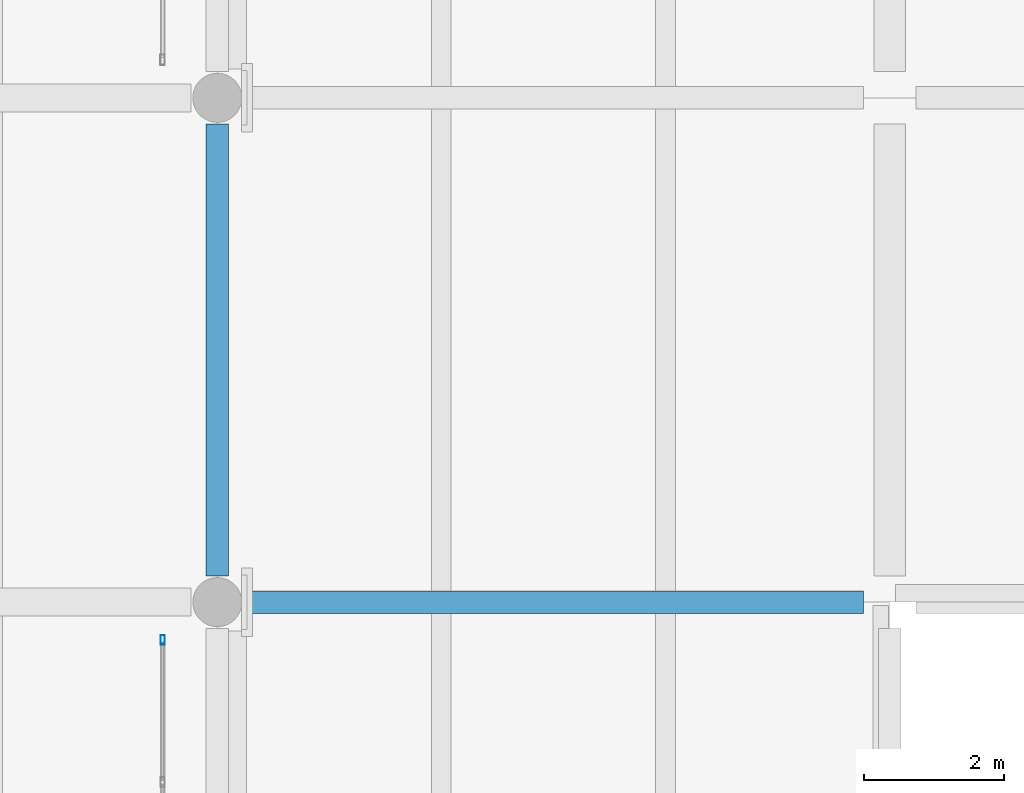
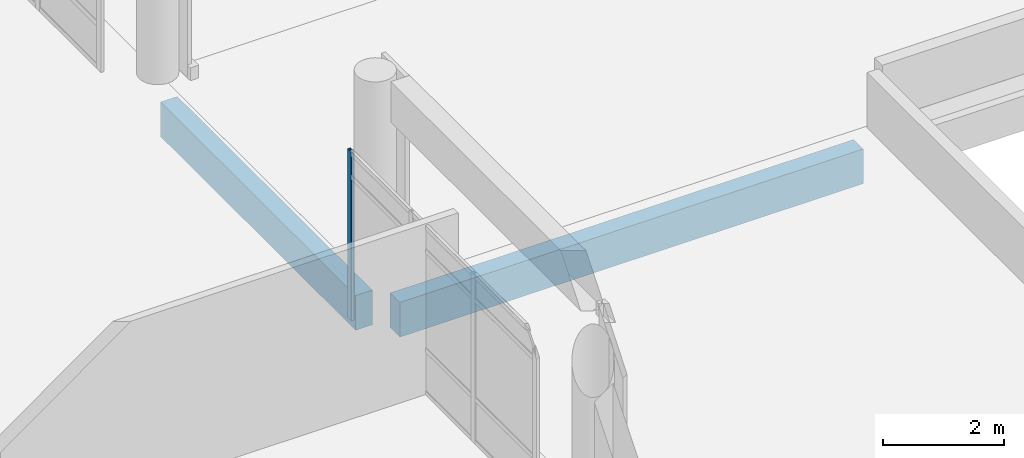
# One storey, part 64 of 196: 2 beams, 1 member, 1 element without a shape of its own.
"""IFC4 building model written with IfcOpenShell, lengths in metres."""

import ifcopenshell
import ifcopenshell.guid

model = None  # the IFC model being written
_history = None  # IfcOwnerHistory: only IFC2X3 demands one
_inside = {}  # id of a spatial element -> (the spatial element, [elements in it])
_under = {}  # id of a project, library or spatial element -> (it, [spatial elements below it])
_declared = {}  # id of a project -> (the project, [libraries it declares])
_typed = {}  # id of a type object -> (the type object, [elements of that type])
_made_of = {}  # id of a material, layer set ... -> (it, [elements and type objects made of it])


def new_model(schema):
    """Start an empty IFC model of exactly this schema.

    Asked for "IFC4X3", IfcOpenShell would pick the latest addendum, in which some entities
    have other attributes; the version numbers below select the first issue.
    IFC2X3 requires an IfcOwnerHistory on every rooted entity: one is made here for all.
    """
    global model, _history
    if schema == "IFC4X3":
        model = ifcopenshell.file(schema_version=(4, 3, 0, 0))
    else:
        model = ifcopenshell.file(schema=schema)
    _inside.clear()
    _under.clear()
    _declared.clear()
    _typed.clear()
    _made_of.clear()
    _history = None
    if model.schema == "IFC2X3":
        org = make("IfcOrganization", Name="unknown")
        user = make(
            "IfcPersonAndOrganization",
            ThePerson=make("IfcPerson", FamilyName="unknown"),
            TheOrganization=org,
        )
        app = make(
            "IfcApplication",
            ApplicationDeveloper=org,
            Version="unknown",
            ApplicationFullName="unknown",
            ApplicationIdentifier="unknown",
        )
        _history = make(
            "IfcOwnerHistory",
            OwningUser=user,
            OwningApplication=app,
            ChangeAction="ADDED",
            CreationDate=0,
        )
    return model


def make(cls, **values):
    """One entity of the class cls with the attributes given. An attribute that is None is left unset."""
    return model.create_entity(
        cls, **{name: value for name, value in values.items() if value is not None}
    )


def rooted(cls, **values):
    """An entity with a GlobalId (a new one), such as an element, a storey or a relation."""
    return make(cls, GlobalId=ifcopenshell.guid.new(), OwnerHistory=_history, **values)


def si_unit(unit_type, name, prefix=None):
    """IfcSIUnit, for example si_unit("LENGTHUNIT", "METRE", prefix="MILLI")."""
    return make("IfcSIUnit", UnitType=unit_type, Prefix=prefix, Name=name)


def assignment(units):
    """IfcUnitAssignment: the units of a project."""
    return None if units is None else make("IfcUnitAssignment", Units=units)


def point(xyz):
    """IfcCartesianPoint."""
    return None if xyz is None else make("IfcCartesianPoint", Coordinates=xyz)


def direction(xyz):
    """IfcDirection."""
    return None if xyz is None else make("IfcDirection", DirectionRatios=xyz)


def frame(location, z_axis=None, x_axis=None):
    """IfcAxis2Placement3D, a coordinate frame: its origin and axes. An axis left out is left unset."""
    return make(
        "IfcAxis2Placement3D",
        Location=point(location),
        Axis=direction(z_axis),
        RefDirection=direction(x_axis),
    )


def frame_2d(location, x_axis=None):
    """IfcAxis2Placement2D, a coordinate frame in the plane: its origin and x axis."""
    return make(
        "IfcAxis2Placement2D", Location=point(location), RefDirection=direction(x_axis)
    )


def origin():
    """The frame at (0, 0, 0) with its axes left unset."""
    return frame((0.0, 0.0, 0.0))


def origin_2d():
    """The frame at (0, 0) in the plane with its x axis left unset."""
    return frame_2d((0.0, 0.0))


def place(relative_to, where):
    """IfcLocalPlacement: puts the frame where relative to a parent placement (None: the world)."""
    return make(
        "IfcLocalPlacement", PlacementRelTo=relative_to, RelativePlacement=where
    )


def context(
    kind, dimensions, precision=None, world=None, true_north=None, identifier=None
):
    """IfcGeometricRepresentationContext, for example the 3D "Model" context."""
    return make(
        "IfcGeometricRepresentationContext",
        ContextIdentifier=identifier,
        ContextType=kind,
        CoordinateSpaceDimension=dimensions,
        Precision=precision,
        WorldCoordinateSystem=world,
        TrueNorth=true_north,
    )


def subcontext(parent, identifier, kind, view, scale=None):
    """IfcGeometricRepresentationSubContext, for example "Body" below "Model"."""
    return make(
        "IfcGeometricRepresentationSubContext",
        ContextIdentifier=identifier,
        ContextType=kind,
        ParentContext=parent,
        TargetScale=scale,
        TargetView=view,
    )


def project(units=None, contexts=None):
    """IfcProject with its units and contexts."""
    return rooted(
        "IfcProject",
        Name="project",
        RepresentationContexts=contexts,
        UnitsInContext=assignment(units),
    )


def spatial(cls, under=None, at=None, **own):
    """A site, building, storey or space (cls), placed at a placement, below another one or the project."""
    s = rooted(cls, ObjectPlacement=at, **own)
    if under is not None:
        _under.setdefault(under.id(), (under, []))[1].append(s)
    return s


def profile(cls, at=None, kind="AREA", **sizes):
    """A parametric profile (cls). Its sizes go by their IFC names, for example OverallWidth=200.0."""
    return make(cls, ProfileType=kind, Position=at, **sizes)


def rectangle(**sizes):
    """IfcRectangleProfileDef."""
    return profile("IfcRectangleProfileDef", **sizes)


def hollow_rectangle(**sizes):
    """IfcRectangleHollowProfileDef."""
    return profile("IfcRectangleHollowProfileDef", **sizes)


def extrude(swept, where, along, depth):
    """IfcExtrudedAreaSolid: the profile swept, set in the frame where, extruded along a direction by depth."""
    return make(
        "IfcExtrudedAreaSolid",
        SweptArea=swept,
        Position=where,
        ExtrudedDirection=direction(along),
        Depth=depth,
    )


def shape(context_of_items, identifier, shape_type, items):
    """IfcShapeRepresentation: the items that make up one representation, for example the "Body"."""
    return make(
        "IfcShapeRepresentation",
        ContextOfItems=context_of_items,
        RepresentationIdentifier=identifier,
        RepresentationType=shape_type,
        Items=items,
    )


def material(Name=None, Category=None):
    """IfcMaterial."""
    return make("IfcMaterial", Name=Name, Category=Category)


def layer(
    of_material, thickness, ventilated=None, Name=None, Category=None, Priority=None
):
    """IfcMaterialLayer: one layer of a wall or slab, of a material (None: an air gap)."""
    return make(
        "IfcMaterialLayer",
        Material=of_material,
        LayerThickness=thickness,
        IsVentilated=ventilated,
        Name=Name,
        Category=Category,
        Priority=Priority,
    )


def layer_set(layers, Name=None):
    """IfcMaterialLayerSet."""
    return make("IfcMaterialLayerSet", MaterialLayers=layers, LayerSetName=Name)


def material_profile(
    of_material, cross_section, Name=None, Category=None, Priority=None
):
    """IfcMaterialProfile: a cross section and its material."""
    return make(
        "IfcMaterialProfile",
        Name=Name,
        Material=of_material,
        Profile=cross_section,
        Priority=Priority,
        Category=Category,
    )


def profile_set(profiles, Name=None, composite=None):
    """IfcMaterialProfileSet."""
    return make(
        "IfcMaterialProfileSet",
        Name=Name,
        MaterialProfiles=profiles,
        CompositeProfile=composite,
    )


def made_of(thing, what):
    """Note that an element or type object is made of a material, layer set ...; save() writes the relation."""
    if what is not None:
        _made_of.setdefault(what.id(), (what, []))[1].append(thing)
    return thing


def type_object(cls, material=None, **own):
    """A type object (cls), such as IfcWallType, which elements share."""
    return made_of(rooted(cls, **own), material)


def element(
    cls,
    number,
    at=None,
    inside=None,
    cuts=None,
    type_object=None,
    material=None,
    context=None,
    identifier="Body",
    shape_type=None,
    held_by="IfcProductDefinitionShape",
    body=None,
    shapes=None,
    **own,
):
    """One element of the class cls, such as IfcWall. Its Tag is "e" and its number.

    at: its placement. inside: the storey or other place that contains it. cuts: it is an
    opening in that element (IfcRelVoidsElement). A single representation is given by context,
    identifier, shape_type and body (its items); several are given by shapes. held_by: the class
    of the entity that holds the representations. save() writes the other relations.
    """
    e = rooted(cls, Tag="e%d" % number, ObjectPlacement=at, **own)
    if body is not None:
        shapes = [shape(context, identifier, shape_type, body)]
    if shapes is not None:
        e.Representation = make(held_by, Representations=shapes)
    if inside is not None:
        _inside.setdefault(inside.id(), (inside, []))[1].append(e)
    if cuts is not None:
        rooted(
            "IfcRelVoidsElement", RelatingBuildingElement=cuts, RelatedOpeningElement=e
        )
    if type_object is not None:
        _typed.setdefault(type_object.id(), (type_object, []))[1].append(e)
    return made_of(e, material)


def aggregate(whole, parts):
    """IfcRelAggregates: a whole, such as a stair, and the parts it consists of."""
    return rooted("IfcRelAggregates", RelatingObject=whole, RelatedObjects=parts)


def save(model, path):
    """Write the relations noted so far, then the file.

    IfcRelAggregates (storeys below a building ...), IfcRelContainedInSpatialStructure (elements
    in a storey), IfcRelDefinesByType, IfcRelAssociatesMaterial and IfcRelDeclares: one each for
    every whole, place, type object, material and project.
    """
    for whole, parts in _under.values():
        aggregate(whole, parts)
    for where, things in _inside.values():
        rooted(
            "IfcRelContainedInSpatialStructure",
            RelatedElements=things,
            RelatingStructure=where,
        )
    for kind, things in _typed.values():
        rooted("IfcRelDefinesByType", RelatedObjects=things, RelatingType=kind)
    for what, things in _made_of.values():
        rooted("IfcRelAssociatesMaterial", RelatedObjects=things, RelatingMaterial=what)
    for by, libraries in _declared.values():
        rooted("IfcRelDeclares", RelatingContext=by, RelatedDefinitions=libraries)
    model.write(path)


model = new_model("IFC4")

# Units and contexts
model_context = context("Model", 3, precision=1e-05, world=origin(), true_north=direction((0.0, 1.0)))
body_context = subcontext(model_context, "Body", "Model", "MODEL_VIEW")
ifc_project = project(units=[si_unit("LENGTHUNIT", "METRE"), si_unit("AREAUNIT", "SQUARE_METRE"), si_unit("VOLUMEUNIT", "CUBIC_METRE"), si_unit("PLANEANGLEUNIT", "RADIAN"), si_unit("MASSUNIT", "GRAM", prefix="KILO")], contexts=[model_context])

# Site, building, storey
site_placement = place(None, origin())
site = spatial("IfcSite", under=ifc_project, at=site_placement, CompositionType="ELEMENT")
building_placement = place(site_placement, origin())
building = spatial("IfcBuilding", under=site, at=building_placement, Name="Asteropetra Specialist Clinic", CompositionType="ELEMENT")
storey_placement = place(building_placement, origin())
storey = spatial("IfcBuildingStorey", under=building, at=storey_placement, Name="L00", CompositionType="ELEMENT", Elevation=0.0)

# Curtain wall, member
ifc_material_1 = material(Name="Aluminium and low-E glass", Category="aluminium")
ifc_layer = layer(ifc_material_1, 0.179931640625)
ifc_layer_set = layer_set([ifc_layer], Name="Aluminium and low-E glass")
curtain_wall_type = type_object("IfcCurtainWallType", Name="CW-SYS-10", PredefinedType="USERDEFINED", material=ifc_layer_set)
curtain_wall_placement = place(storey_placement, origin())
curtain_wall = element("IfcCurtainWall", 1, at=curtain_wall_placement, inside=storey, type_object=curtain_wall_type, Name="Curtain Wall CW-152", ObjectType="STICK GLAZED COLONNADE", PredefinedType="USERDEFINED")
ifc_material_2 = material(Name="Aluminium 6063-T6", Category="aluminium")
ifc_material_profile_1 = material_profile(ifc_material_2, hollow_rectangle(XDim=0.06005859375, YDim=0.135009765625, WallThickness=0.00341796875, InnerFilletRadius=0.00341796875, OuterFilletRadius=0.007080078125, at=origin_2d()), Name="MUL 135x60x3.5")
ifc_profile_set_1 = profile_set([ifc_material_profile_1], Name="Aluminium 6063-T6")
member_type = type_object("IfcMemberType", Name="CWM-135x60", PredefinedType="MULLION", material=ifc_profile_set_1)
member_placement = place(storey_placement, frame((47.219970703125, 47.4599609375, 0.0), z_axis=(0.0, 0.0, 1.0), x_axis=(-1.0, 0.0, 0.0)))
member = element("IfcMember", 2, at=member_placement, type_object=member_type, Name="CW-152 mullion 4", PredefinedType="MULLION", context=body_context, shape_type="SweptSolid", body=[
    extrude(hollow_rectangle(XDim=0.06005859375, YDim=0.135009765625, WallThickness=0.00341796875, InnerFilletRadius=0.00341796875, OuterFilletRadius=0.007080078125, at=origin_2d()), origin(), (0.0, 0.0, 1.0), 3.39990234375),
])
aggregate(curtain_wall, [member])

# Beams
ifc_material_3 = material(Name="Concrete C35/45", Category="concrete")
ifc_material_profile_2 = material_profile(ifc_material_3, rectangle(XDim=0.320068359375, YDim=0.699951171875, at=origin_2d()), Name="RCS 320x700")
ifc_profile_set_2 = profile_set([ifc_material_profile_2], Name="Concrete C35/45")
beam_type = type_object("IfcBeamType", Name="SPN-RC320x700", PredefinedType="SPANDREL", material=ifc_profile_set_2)
beam_1_placement = place(storey_placement, frame((48.375, 48.0, -0.659912109375), z_axis=(1.0, 0.0, 0.0), x_axis=(0.0, 1.0, 0.0)))
element("IfcBeam", 3, at=beam_1_placement, inside=storey, type_object=beam_type, Name="Beam BSPN02-0109", PredefinedType="SPANDREL", context=body_context, shape_type="SweptSolid", body=[
    extrude(rectangle(XDim=0.320068359375, YDim=0.699951171875, at=origin_2d()), origin(), (0.0, 0.0, 1.0), 8.85009765625),
])
beam_2_placement = place(storey_placement, frame((48.0, 48.375, -0.659912109375), z_axis=(0.0, 1.0, 0.0), x_axis=(-1.0, 0.0, 0.0)))
element("IfcBeam", 4, at=beam_2_placement, inside=storey, type_object=beam_type, Name="Beam BSPN02-0117", PredefinedType="SPANDREL", context=body_context, shape_type="SweptSolid", body=[
    extrude(rectangle(XDim=0.320068359375, YDim=0.699951171875, at=origin_2d()), origin(), (0.0, 0.0, 1.0), 6.449951171875),
])

save(model, "model.ifc")
